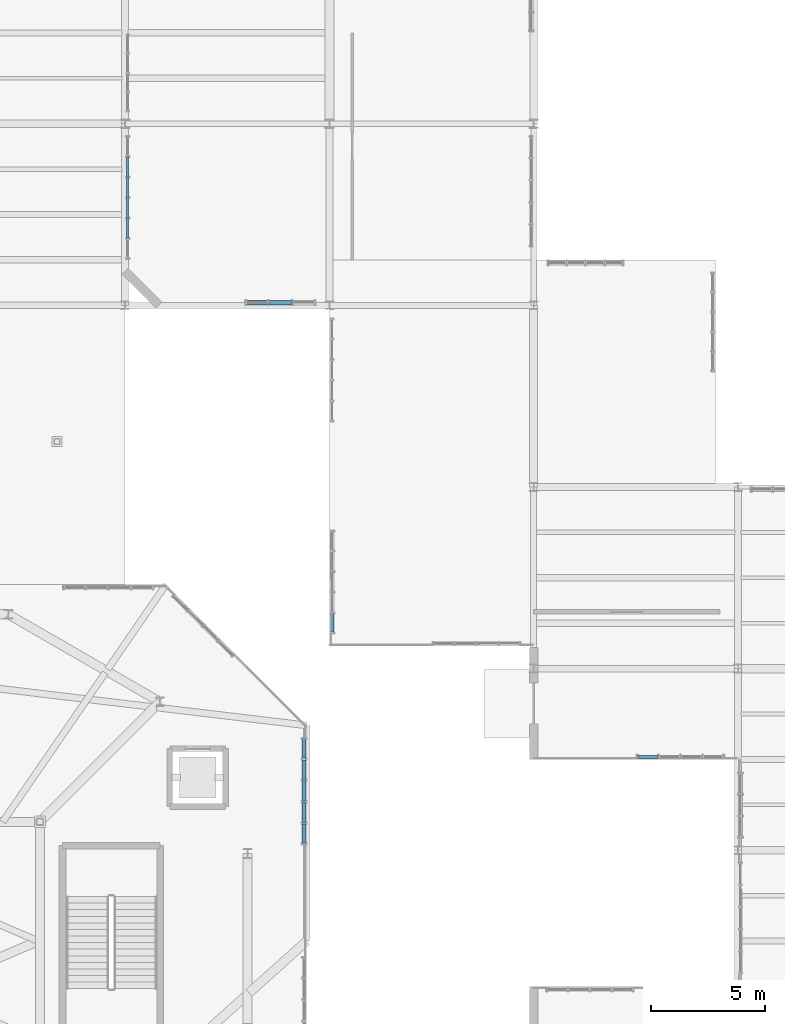
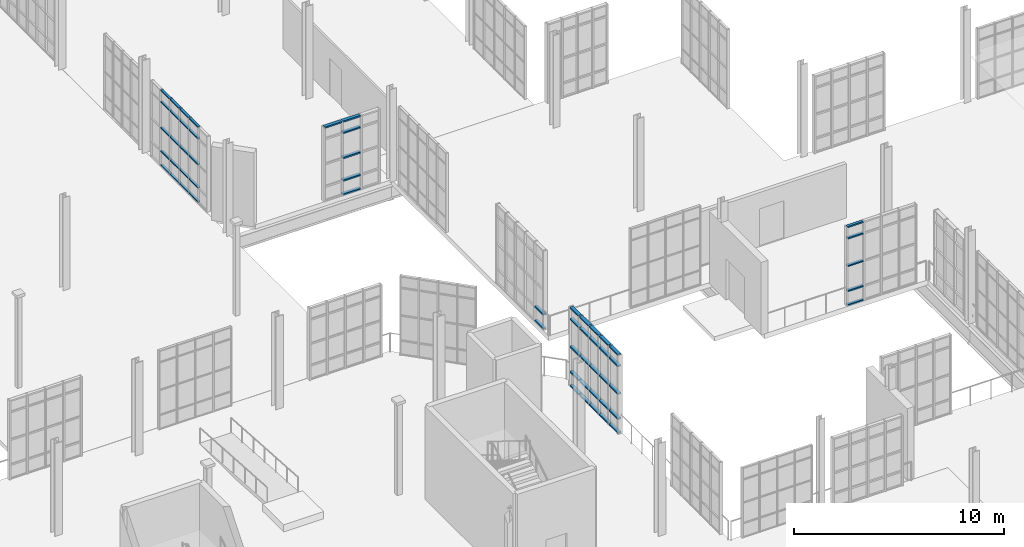
# One storey, part 127 of 189: 58 members, 5 elements without a shape of their own.
"""IFC4 building model written with IfcOpenShell, lengths in metres."""

from ifc_helpers import new_model, si_unit, direction, frame, origin, origin_2d, place, context, subcontext, project, spatial, hollow_rectangle, extrude, material, layer, layer_set, material_profile, profile_set, type_object, element, aggregate, save


model = new_model("IFC4")

# Units and contexts
model_context = context("Model", 3, precision=1e-05, world=origin(), true_north=direction((0.0, 1.0)))
body_context = subcontext(model_context, "Body", "Model", "MODEL_VIEW")
ifc_project = project(units=[si_unit("LENGTHUNIT", "METRE"), si_unit("AREAUNIT", "SQUARE_METRE"), si_unit("VOLUMEUNIT", "CUBIC_METRE"), si_unit("PLANEANGLEUNIT", "RADIAN"), si_unit("MASSUNIT", "GRAM", prefix="KILO"), si_unit("THERMODYNAMICTEMPERATUREUNIT", "KELVIN"), si_unit("POWERUNIT", "WATT")], contexts=[model_context])

# Site, building, storey
site_placement = place(None, origin())
site = spatial("IfcSite", under=ifc_project, at=site_placement, CompositionType="ELEMENT")
building_placement = place(site_placement, origin())
building = spatial("IfcBuilding", under=site, at=building_placement, Name="Zelmaris Science Centre", CompositionType="ELEMENT")
storey_placement = place(building_placement, origin())
storey = spatial("IfcBuildingStorey", under=building, at=storey_placement, Name="L00", CompositionType="ELEMENT", Elevation=0.0)

# Curtain wall, members
ifc_material = material(Name="Anodised architectural aluminium 6063-T6", Category="aluminium")
ifc_layer_1 = layer(ifc_material, 0.2099609375, Name="Anodised architectural aluminium 6063-T6")
ifc_layer_set_1 = layer_set([ifc_layer_1], Name="Anodised architectural aluminium 6063-T6")
curtain_wall_type_1 = type_object("IfcCurtainWallType", Name="Curtain Wall CW-03", PredefinedType="USERDEFINED", material=ifc_layer_set_1)
curtain_wall_1_placement = place(storey_placement, origin())
curtain_wall_1 = element("IfcCurtainWall", 1, at=curtain_wall_1_placement, inside=storey, type_object=curtain_wall_type_1, Name="L00 Unitised curtain wall 79", ObjectType="GLAZED CURTAIN WALL", PredefinedType="USERDEFINED")
ifc_material_profile_1 = material_profile(ifc_material, hollow_rectangle(XDim=0.06494140625, YDim=0.1298828125, WallThickness=0.00341796875, at=origin_2d()), Name="ALU-TRN-65X130")
ifc_profile_set_1 = profile_set([ifc_material_profile_1], Name="Anodised architectural aluminium 6063-T6")
member_type_1 = type_object("IfcMemberType", Name="ALU-TRN-65X130", PredefinedType="USERDEFINED", material=ifc_profile_set_1)
member_1_placement = place(storey_placement, frame((90.1201171875, 66.971923828125, 0.013427734375), z_axis=(0.0, 1.0, 0.0), x_axis=(0.0, 0.0, 1.0)))
member_1 = element("IfcMember", 2, at=member_1_placement, type_object=member_type_1, Name="CW-03 transom 2.1", ObjectType="TRANSOM", PredefinedType="USERDEFINED", context=body_context, shape_type="SweptSolid", body=[
    extrude(hollow_rectangle(XDim=0.06494140625, YDim=0.1298828125, WallThickness=0.00341796875, at=origin_2d()), origin(), (0.0, 0.0, 1.0), 0.84619140625),
])
member_2_placement = place(storey_placement, frame((90.1201171875, 66.971923828125, 0.8349609375), z_axis=(0.0, 1.0, 0.0), x_axis=(0.0, 0.0, 1.0)))
member_2 = element("IfcMember", 3, at=member_2_placement, type_object=member_type_1, Name="CW-03 transom 2.2", ObjectType="TRANSOM", PredefinedType="USERDEFINED", context=body_context, shape_type="SweptSolid", body=[
    extrude(hollow_rectangle(XDim=0.06494140625, YDim=0.1298828125, WallThickness=0.00341796875, at=origin_2d()), origin(), (0.0, 0.0, 1.0), 0.84619140625),
])
member_3_placement = place(storey_placement, frame((90.1201171875, 66.971923828125, 2.193603515625), z_axis=(0.0, 1.0, 0.0), x_axis=(0.0, 0.0, 1.0)))
member_3 = element("IfcMember", 4, at=member_3_placement, type_object=member_type_1, Name="CW-03 transom 2.3", ObjectType="TRANSOM", PredefinedType="USERDEFINED", context=body_context, shape_type="SweptSolid", body=[
    extrude(hollow_rectangle(XDim=0.06494140625, YDim=0.1298828125, WallThickness=0.00341796875, at=origin_2d()), origin(), (0.0, 0.0, 1.0), 0.84619140625),
])
member_4_placement = place(storey_placement, frame((90.1201171875, 66.971923828125, 3.701904296875), z_axis=(0.0, 1.0, 0.0), x_axis=(0.0, 0.0, 1.0)))
member_4 = element("IfcMember", 5, at=member_4_placement, type_object=member_type_1, Name="CW-03 transom 2.4", ObjectType="TRANSOM", PredefinedType="USERDEFINED", context=body_context, shape_type="SweptSolid", body=[
    extrude(hollow_rectangle(XDim=0.06494140625, YDim=0.1298828125, WallThickness=0.00341796875, at=origin_2d()), origin(), (0.0, 0.0, 1.0), 0.84619140625),
])
member_5_placement = place(storey_placement, frame((90.1201171875, 66.971923828125, 4.37353515625), z_axis=(0.0, 1.0, 0.0), x_axis=(0.0, 0.0, 1.0)))
member_5 = element("IfcMember", 6, at=member_5_placement, type_object=member_type_1, Name="CW-03 transom 2.5", ObjectType="TRANSOM", PredefinedType="USERDEFINED", context=body_context, shape_type="SweptSolid", body=[
    extrude(hollow_rectangle(XDim=0.06494140625, YDim=0.1298828125, WallThickness=0.00341796875, at=origin_2d()), origin(), (0.0, 0.0, 1.0), 0.84619140625),
])
member_6_placement = place(storey_placement, frame((90.1201171875, 67.875244140625, 0.013427734375), z_axis=(0.0, 1.0, 0.0), x_axis=(0.0, 0.0, 1.0)))
member_6 = element("IfcMember", 7, at=member_6_placement, type_object=member_type_1, Name="CW-03 transom 3.1", ObjectType="TRANSOM", PredefinedType="USERDEFINED", context=body_context, shape_type="SweptSolid", body=[
    extrude(hollow_rectangle(XDim=0.06494140625, YDim=0.1298828125, WallThickness=0.00341796875, at=origin_2d()), origin(), (0.0, 0.0, 1.0), 0.84619140625),
])
member_7_placement = place(storey_placement, frame((90.1201171875, 67.875244140625, 0.8349609375), z_axis=(0.0, 1.0, 0.0), x_axis=(0.0, 0.0, 1.0)))
member_7 = element("IfcMember", 8, at=member_7_placement, type_object=member_type_1, Name="CW-03 transom 3.2", ObjectType="TRANSOM", PredefinedType="USERDEFINED", context=body_context, shape_type="SweptSolid", body=[
    extrude(hollow_rectangle(XDim=0.06494140625, YDim=0.1298828125, WallThickness=0.00341796875, at=origin_2d()), origin(), (0.0, 0.0, 1.0), 0.84619140625),
])
member_8_placement = place(storey_placement, frame((90.1201171875, 67.875244140625, 2.193603515625), z_axis=(0.0, 1.0, 0.0), x_axis=(0.0, 0.0, 1.0)))
member_8 = element("IfcMember", 9, at=member_8_placement, type_object=member_type_1, Name="CW-03 transom 3.3", ObjectType="TRANSOM", PredefinedType="USERDEFINED", context=body_context, shape_type="SweptSolid", body=[
    extrude(hollow_rectangle(XDim=0.06494140625, YDim=0.1298828125, WallThickness=0.00341796875, at=origin_2d()), origin(), (0.0, 0.0, 1.0), 0.84619140625),
])
member_9_placement = place(storey_placement, frame((90.1201171875, 67.875244140625, 3.701904296875), z_axis=(0.0, 1.0, 0.0), x_axis=(0.0, 0.0, 1.0)))
member_9 = element("IfcMember", 10, at=member_9_placement, type_object=member_type_1, Name="CW-03 transom 3.4", ObjectType="TRANSOM", PredefinedType="USERDEFINED", context=body_context, shape_type="SweptSolid", body=[
    extrude(hollow_rectangle(XDim=0.06494140625, YDim=0.1298828125, WallThickness=0.00341796875, at=origin_2d()), origin(), (0.0, 0.0, 1.0), 0.84619140625),
])
member_10_placement = place(storey_placement, frame((90.1201171875, 67.875244140625, 4.37353515625), z_axis=(0.0, 1.0, 0.0), x_axis=(0.0, 0.0, 1.0)))
member_10 = element("IfcMember", 11, at=member_10_placement, type_object=member_type_1, Name="CW-03 transom 3.5", ObjectType="TRANSOM", PredefinedType="USERDEFINED", context=body_context, shape_type="SweptSolid", body=[
    extrude(hollow_rectangle(XDim=0.06494140625, YDim=0.1298828125, WallThickness=0.00341796875, at=origin_2d()), origin(), (0.0, 0.0, 1.0), 0.84619140625),
])
member_11_placement = place(storey_placement, frame((90.1201171875, 68.778564453125, 0.013427734375), z_axis=(0.0, 1.0, 0.0), x_axis=(0.0, 0.0, 1.0)))
member_11 = element("IfcMember", 12, at=member_11_placement, type_object=member_type_1, Name="CW-03 transom 4.1", ObjectType="TRANSOM", PredefinedType="USERDEFINED", context=body_context, shape_type="SweptSolid", body=[
    extrude(hollow_rectangle(XDim=0.06494140625, YDim=0.1298828125, WallThickness=0.00341796875, at=origin_2d()), origin(), (0.0, 0.0, 1.0), 0.84619140625),
])
member_12_placement = place(storey_placement, frame((90.1201171875, 68.778564453125, 0.8349609375), z_axis=(0.0, 1.0, 0.0), x_axis=(0.0, 0.0, 1.0)))
member_12 = element("IfcMember", 13, at=member_12_placement, type_object=member_type_1, Name="CW-03 transom 4.2", ObjectType="TRANSOM", PredefinedType="USERDEFINED", context=body_context, shape_type="SweptSolid", body=[
    extrude(hollow_rectangle(XDim=0.06494140625, YDim=0.1298828125, WallThickness=0.00341796875, at=origin_2d()), origin(), (0.0, 0.0, 1.0), 0.84619140625),
])
member_13_placement = place(storey_placement, frame((90.1201171875, 68.778564453125, 2.193603515625), z_axis=(0.0, 1.0, 0.0), x_axis=(0.0, 0.0, 1.0)))
member_13 = element("IfcMember", 14, at=member_13_placement, type_object=member_type_1, Name="CW-03 transom 4.3", ObjectType="TRANSOM", PredefinedType="USERDEFINED", context=body_context, shape_type="SweptSolid", body=[
    extrude(hollow_rectangle(XDim=0.06494140625, YDim=0.1298828125, WallThickness=0.00341796875, at=origin_2d()), origin(), (0.0, 0.0, 1.0), 0.84619140625),
])
member_14_placement = place(storey_placement, frame((90.1201171875, 68.778564453125, 3.701904296875), z_axis=(0.0, 1.0, 0.0), x_axis=(0.0, 0.0, 1.0)))
member_14 = element("IfcMember", 15, at=member_14_placement, type_object=member_type_1, Name="CW-03 transom 4.4", ObjectType="TRANSOM", PredefinedType="USERDEFINED", context=body_context, shape_type="SweptSolid", body=[
    extrude(hollow_rectangle(XDim=0.06494140625, YDim=0.1298828125, WallThickness=0.00341796875, at=origin_2d()), origin(), (0.0, 0.0, 1.0), 0.84619140625),
])
member_15_placement = place(storey_placement, frame((90.1201171875, 68.778564453125, 4.37353515625), z_axis=(0.0, 1.0, 0.0), x_axis=(0.0, 0.0, 1.0)))
member_15 = element("IfcMember", 16, at=member_15_placement, type_object=member_type_1, Name="CW-03 transom 4.5", ObjectType="TRANSOM", PredefinedType="USERDEFINED", context=body_context, shape_type="SweptSolid", body=[
    extrude(hollow_rectangle(XDim=0.06494140625, YDim=0.1298828125, WallThickness=0.00341796875, at=origin_2d()), origin(), (0.0, 0.0, 1.0), 0.84619140625),
])
member_16_placement = place(storey_placement, frame((90.1201171875, 69.681884765625, 0.013427734375), z_axis=(0.0, 1.0, 0.0), x_axis=(0.0, 0.0, 1.0)))
member_16 = element("IfcMember", 17, at=member_16_placement, type_object=member_type_1, Name="CW-03 transom 5.1", ObjectType="TRANSOM", PredefinedType="USERDEFINED", context=body_context, shape_type="SweptSolid", body=[
    extrude(hollow_rectangle(XDim=0.06494140625, YDim=0.1298828125, WallThickness=0.00341796875, at=origin_2d()), origin(), (0.0, 0.0, 1.0), 0.84619140625),
])
member_17_placement = place(storey_placement, frame((90.1201171875, 69.681884765625, 0.8349609375), z_axis=(0.0, 1.0, 0.0), x_axis=(0.0, 0.0, 1.0)))
member_17 = element("IfcMember", 18, at=member_17_placement, type_object=member_type_1, Name="CW-03 transom 5.2", ObjectType="TRANSOM", PredefinedType="USERDEFINED", context=body_context, shape_type="SweptSolid", body=[
    extrude(hollow_rectangle(XDim=0.06494140625, YDim=0.1298828125, WallThickness=0.00341796875, at=origin_2d()), origin(), (0.0, 0.0, 1.0), 0.84619140625),
])
member_18_placement = place(storey_placement, frame((90.1201171875, 69.681884765625, 2.193603515625), z_axis=(0.0, 1.0, 0.0), x_axis=(0.0, 0.0, 1.0)))
member_18 = element("IfcMember", 19, at=member_18_placement, type_object=member_type_1, Name="CW-03 transom 5.3", ObjectType="TRANSOM", PredefinedType="USERDEFINED", context=body_context, shape_type="SweptSolid", body=[
    extrude(hollow_rectangle(XDim=0.06494140625, YDim=0.1298828125, WallThickness=0.00341796875, at=origin_2d()), origin(), (0.0, 0.0, 1.0), 0.84619140625),
])
member_19_placement = place(storey_placement, frame((90.1201171875, 69.681884765625, 3.701904296875), z_axis=(0.0, 1.0, 0.0), x_axis=(0.0, 0.0, 1.0)))
member_19 = element("IfcMember", 20, at=member_19_placement, type_object=member_type_1, Name="CW-03 transom 5.4", ObjectType="TRANSOM", PredefinedType="USERDEFINED", context=body_context, shape_type="SweptSolid", body=[
    extrude(hollow_rectangle(XDim=0.06494140625, YDim=0.1298828125, WallThickness=0.00341796875, at=origin_2d()), origin(), (0.0, 0.0, 1.0), 0.84619140625),
])
member_20_placement = place(storey_placement, frame((90.1201171875, 69.681884765625, 4.37353515625), z_axis=(0.0, 1.0, 0.0), x_axis=(0.0, 0.0, 1.0)))
member_20 = element("IfcMember", 21, at=member_20_placement, type_object=member_type_1, Name="CW-03 transom 5.5", ObjectType="TRANSOM", PredefinedType="USERDEFINED", context=body_context, shape_type="SweptSolid", body=[
    extrude(hollow_rectangle(XDim=0.06494140625, YDim=0.1298828125, WallThickness=0.00341796875, at=origin_2d()), origin(), (0.0, 0.0, 1.0), 0.84619140625),
])
aggregate(curtain_wall_1, [member_1, member_2, member_3, member_4, member_5, member_6, member_7, member_8, member_9, member_10, member_11, member_12, member_13, member_14, member_15, member_16, member_17, member_18, member_19, member_20])

ifc_layer_2 = layer(ifc_material, 0.199951171875, Name="Anodised architectural aluminium 6063-T6")
ifc_layer_set_2 = layer_set([ifc_layer_2], Name="Anodised architectural aluminium 6063-T6")
curtain_wall_type_2 = type_object("IfcCurtainWallType", Name="Curtain Wall CW-02", PredefinedType="USERDEFINED", material=ifc_layer_set_2)
curtain_wall_2_placement = place(storey_placement, origin())
curtain_wall_2 = element("IfcCurtainWall", 22, at=curtain_wall_2_placement, inside=storey, type_object=curtain_wall_type_2, Name="L00 Unitised curtain wall 70", ObjectType="GLAZED CURTAIN WALL", PredefinedType="USERDEFINED")
ifc_material_profile_2 = material_profile(ifc_material, hollow_rectangle(XDim=0.074951171875, YDim=0.159912109375, WallThickness=0.00390625, at=origin_2d()), Name="ALU-TRN-75X160")
ifc_profile_set_2 = profile_set([ifc_material_profile_2], Name="Anodised architectural aluminium 6063-T6")
member_type_2 = type_object("IfcMemberType", Name="ALU-TRN-75X160", PredefinedType="USERDEFINED", material=ifc_profile_set_2)
member_21_placement = place(storey_placement, frame((113.464111328125, 44.1201171875, 0.0185546875), z_axis=(-1.0, 0.0, 0.0), x_axis=(0.0, 0.0, 1.0)))
member_21 = element("IfcMember", 23, at=member_21_placement, type_object=member_type_2, Name="CW-02 transom 4.1", ObjectType="TRANSOM", PredefinedType="USERDEFINED", context=body_context, shape_type="SweptSolid", body=[
    extrude(hollow_rectangle(XDim=0.074951171875, YDim=0.159912109375, WallThickness=0.00390625, at=origin_2d()), origin(), (0.0, 0.0, 1.0), 0.8671875),
])
member_22_placement = place(storey_placement, frame((113.464111328125, 44.1201171875, 0.8349609375), z_axis=(-1.0, 0.0, 0.0), x_axis=(0.0, 0.0, 1.0)))
member_22 = element("IfcMember", 24, at=member_22_placement, type_object=member_type_2, Name="CW-02 transom 4.2", ObjectType="TRANSOM", PredefinedType="USERDEFINED", context=body_context, shape_type="SweptSolid", body=[
    extrude(hollow_rectangle(XDim=0.074951171875, YDim=0.159912109375, WallThickness=0.00390625, at=origin_2d()), origin(), (0.0, 0.0, 1.0), 0.8671875),
])
member_23_placement = place(storey_placement, frame((113.464111328125, 44.1201171875, 2.29248046875), z_axis=(-1.0, 0.0, 0.0), x_axis=(0.0, 0.0, 1.0)))
member_23 = element("IfcMember", 25, at=member_23_placement, type_object=member_type_2, Name="CW-02 transom 4.3", ObjectType="TRANSOM", PredefinedType="USERDEFINED", context=body_context, shape_type="SweptSolid", body=[
    extrude(hollow_rectangle(XDim=0.074951171875, YDim=0.159912109375, WallThickness=0.00390625, at=origin_2d()), origin(), (0.0, 0.0, 1.0), 0.8671875),
])
member_24_placement = place(storey_placement, frame((113.464111328125, 44.1201171875, 3.89990234375), z_axis=(-1.0, 0.0, 0.0), x_axis=(0.0, 0.0, 1.0)))
member_24 = element("IfcMember", 26, at=member_24_placement, type_object=member_type_2, Name="CW-02 transom 4.4", ObjectType="TRANSOM", PredefinedType="USERDEFINED", context=body_context, shape_type="SweptSolid", body=[
    extrude(hollow_rectangle(XDim=0.074951171875, YDim=0.159912109375, WallThickness=0.00390625, at=origin_2d()), origin(), (0.0, 0.0, 1.0), 0.8671875),
])
member_25_placement = place(storey_placement, frame((113.464111328125, 44.1201171875, 4.56640625), z_axis=(-1.0, 0.0, 0.0), x_axis=(0.0, 0.0, 1.0)))
member_25 = element("IfcMember", 27, at=member_25_placement, type_object=member_type_2, Name="CW-02 transom 4.5", ObjectType="TRANSOM", PredefinedType="USERDEFINED", context=body_context, shape_type="SweptSolid", body=[
    extrude(hollow_rectangle(XDim=0.074951171875, YDim=0.159912109375, WallThickness=0.00390625, at=origin_2d()), origin(), (0.0, 0.0, 1.0), 0.8671875),
])
aggregate(curtain_wall_2, [member_21, member_22, member_23, member_24, member_25])

curtain_wall_3_placement = place(storey_placement, origin())
curtain_wall_3 = element("IfcCurtainWall", 28, at=curtain_wall_3_placement, inside=storey, type_object=curtain_wall_type_2, Name="L00 Unitised curtain wall 74", ObjectType="GLAZED CURTAIN WALL", PredefinedType="USERDEFINED")
member_26_placement = place(storey_placement, frame((99.119873046875, 49.607177734375, 0.0185546875), z_axis=(-0.000603318141, 0.999999818004, 0.0), x_axis=(0.0, 0.0, 1.0)))
member_26 = element("IfcMember", 29, at=member_26_placement, type_object=member_type_2, Name="CW-02 transom 1.1", ObjectType="TRANSOM", PredefinedType="USERDEFINED", context=body_context, shape_type="SweptSolid", body=[
    extrude(hollow_rectangle(XDim=0.074951171875, YDim=0.159912109375, WallThickness=0.00390625, at=origin_2d()), origin(), (0.0, 0.0, 1.0), 0.809326171875),
])
member_27_placement = place(storey_placement, frame((99.119873046875, 49.607177734375, 0.8349609375), z_axis=(-0.000603318141, 0.999999818004, 0.0), x_axis=(0.0, 0.0, 1.0)))
member_27 = element("IfcMember", 30, at=member_27_placement, type_object=member_type_2, Name="CW-02 transom 1.2", ObjectType="TRANSOM", PredefinedType="USERDEFINED", context=body_context, shape_type="SweptSolid", body=[
    extrude(hollow_rectangle(XDim=0.074951171875, YDim=0.159912109375, WallThickness=0.00390625, at=origin_2d()), origin(), (0.0, 0.0, 1.0), 0.809326171875),
])
aggregate(curtain_wall_3, [member_26, member_27])

ifc_layer_3 = layer(ifc_material, 0.18994140625, Name="Anodised architectural aluminium 6063-T6")
ifc_layer_set_3 = layer_set([ifc_layer_3], Name="Anodised architectural aluminium 6063-T6")
curtain_wall_type_3 = type_object("IfcCurtainWallType", Name="Curtain Wall CW-01", PredefinedType="USERDEFINED", material=ifc_layer_set_3)
curtain_wall_4_placement = place(storey_placement, origin())
curtain_wall_4 = element("IfcCurtainWall", 31, at=curtain_wall_4_placement, inside=storey, type_object=curtain_wall_type_3, Name="L00 Unitised curtain wall 61", ObjectType="GLAZED CURTAIN WALL", PredefinedType="USERDEFINED")
ifc_material_profile_3 = material_profile(ifc_material, hollow_rectangle(XDim=0.080078125, YDim=0.18994140625, WallThickness=0.00439453125, at=origin_2d()), Name="ALU-TRN-80X190")
ifc_profile_set_3 = profile_set([ifc_material_profile_3], Name="Anodised architectural aluminium 6063-T6")
member_type_3 = type_object("IfcMemberType", Name="ALU-TRN-80X190", PredefinedType="USERDEFINED", material=ifc_profile_set_3)
member_28_placement = place(storey_placement, frame((97.8798828125, 44.887939453125, 0.02099609375), z_axis=(0.0, -1.0, 0.0), x_axis=(0.0, 0.0, 1.0)))
member_28 = element("IfcMember", 32, at=member_28_placement, type_object=member_type_3, Name="CW-01 transom 1.1", ObjectType="TRANSOM", PredefinedType="USERDEFINED", context=body_context, shape_type="SweptSolid", body=[
    extrude(hollow_rectangle(XDim=0.080078125, YDim=0.18994140625, WallThickness=0.00439453125, at=origin_2d()), origin(), (0.0, 0.0, 1.0), 0.833251953125),
])
member_29_placement = place(storey_placement, frame((97.8798828125, 44.887939453125, 0.8349609375), z_axis=(0.0, -1.0, 0.0), x_axis=(0.0, 0.0, 1.0)))
member_29 = element("IfcMember", 33, at=member_29_placement, type_object=member_type_3, Name="CW-01 transom 1.2", ObjectType="TRANSOM", PredefinedType="USERDEFINED", context=body_context, shape_type="SweptSolid", body=[
    extrude(hollow_rectangle(XDim=0.080078125, YDim=0.18994140625, WallThickness=0.00439453125, at=origin_2d()), origin(), (0.0, 0.0, 1.0), 0.833251953125),
])
member_30_placement = place(storey_placement, frame((97.8798828125, 44.887939453125, 2.29248046875), z_axis=(0.0, -1.0, 0.0), x_axis=(0.0, 0.0, 1.0)))
member_30 = element("IfcMember", 34, at=member_30_placement, type_object=member_type_3, Name="CW-01 transom 1.3", ObjectType="TRANSOM", PredefinedType="USERDEFINED", context=body_context, shape_type="SweptSolid", body=[
    extrude(hollow_rectangle(XDim=0.080078125, YDim=0.18994140625, WallThickness=0.00439453125, at=origin_2d()), origin(), (0.0, 0.0, 1.0), 0.833251953125),
])
member_31_placement = place(storey_placement, frame((97.8798828125, 44.887939453125, 3.89990234375), z_axis=(0.0, -1.0, 0.0), x_axis=(0.0, 0.0, 1.0)))
member_31 = element("IfcMember", 35, at=member_31_placement, type_object=member_type_3, Name="CW-01 transom 1.4", ObjectType="TRANSOM", PredefinedType="USERDEFINED", context=body_context, shape_type="SweptSolid", body=[
    extrude(hollow_rectangle(XDim=0.080078125, YDim=0.18994140625, WallThickness=0.00439453125, at=origin_2d()), origin(), (0.0, 0.0, 1.0), 0.833251953125),
])
member_32_placement = place(storey_placement, frame((97.8798828125, 44.887939453125, 4.56396484375), z_axis=(0.0, -1.0, 0.0), x_axis=(0.0, 0.0, 1.0)))
member_32 = element("IfcMember", 36, at=member_32_placement, type_object=member_type_3, Name="CW-01 transom 1.5", ObjectType="TRANSOM", PredefinedType="USERDEFINED", context=body_context, shape_type="SweptSolid", body=[
    extrude(hollow_rectangle(XDim=0.080078125, YDim=0.18994140625, WallThickness=0.00439453125, at=origin_2d()), origin(), (0.0, 0.0, 1.0), 0.833251953125),
])
member_33_placement = place(storey_placement, frame((97.8798828125, 43.982666015625, 0.02099609375), z_axis=(0.0, -1.0, 0.0), x_axis=(0.0, 0.0, 1.0)))
member_33 = element("IfcMember", 37, at=member_33_placement, type_object=member_type_3, Name="CW-01 transom 2.1", ObjectType="TRANSOM", PredefinedType="USERDEFINED", context=body_context, shape_type="SweptSolid", body=[
    extrude(hollow_rectangle(XDim=0.080078125, YDim=0.18994140625, WallThickness=0.00439453125, at=origin_2d()), origin(), (0.0, 0.0, 1.0), 0.869384765625),
])
member_34_placement = place(storey_placement, frame((97.8798828125, 43.982666015625, 0.8349609375), z_axis=(0.0, -1.0, 0.0), x_axis=(0.0, 0.0, 1.0)))
member_34 = element("IfcMember", 38, at=member_34_placement, type_object=member_type_3, Name="CW-01 transom 2.2", ObjectType="TRANSOM", PredefinedType="USERDEFINED", context=body_context, shape_type="SweptSolid", body=[
    extrude(hollow_rectangle(XDim=0.080078125, YDim=0.18994140625, WallThickness=0.00439453125, at=origin_2d()), origin(), (0.0, 0.0, 1.0), 0.869384765625),
])
member_35_placement = place(storey_placement, frame((97.8798828125, 43.982666015625, 2.29248046875), z_axis=(0.0, -1.0, 0.0), x_axis=(0.0, 0.0, 1.0)))
member_35 = element("IfcMember", 39, at=member_35_placement, type_object=member_type_3, Name="CW-01 transom 2.3", ObjectType="TRANSOM", PredefinedType="USERDEFINED", context=body_context, shape_type="SweptSolid", body=[
    extrude(hollow_rectangle(XDim=0.080078125, YDim=0.18994140625, WallThickness=0.00439453125, at=origin_2d()), origin(), (0.0, 0.0, 1.0), 0.869384765625),
])
member_36_placement = place(storey_placement, frame((97.8798828125, 43.982666015625, 3.89990234375), z_axis=(0.0, -1.0, 0.0), x_axis=(0.0, 0.0, 1.0)))
member_36 = element("IfcMember", 40, at=member_36_placement, type_object=member_type_3, Name="CW-01 transom 2.4", ObjectType="TRANSOM", PredefinedType="USERDEFINED", context=body_context, shape_type="SweptSolid", body=[
    extrude(hollow_rectangle(XDim=0.080078125, YDim=0.18994140625, WallThickness=0.00439453125, at=origin_2d()), origin(), (0.0, 0.0, 1.0), 0.869384765625),
])
member_37_placement = place(storey_placement, frame((97.8798828125, 43.982666015625, 4.56396484375), z_axis=(0.0, -1.0, 0.0), x_axis=(0.0, 0.0, 1.0)))
member_37 = element("IfcMember", 41, at=member_37_placement, type_object=member_type_3, Name="CW-01 transom 2.5", ObjectType="TRANSOM", PredefinedType="USERDEFINED", context=body_context, shape_type="SweptSolid", body=[
    extrude(hollow_rectangle(XDim=0.080078125, YDim=0.18994140625, WallThickness=0.00439453125, at=origin_2d()), origin(), (0.0, 0.0, 1.0), 0.869384765625),
])
member_38_placement = place(storey_placement, frame((97.8798828125, 43.041259765625, 0.02099609375), z_axis=(0.0, -1.0, 0.0), x_axis=(0.0, 0.0, 1.0)))
member_38 = element("IfcMember", 42, at=member_38_placement, type_object=member_type_3, Name="CW-01 transom 3.1", ObjectType="TRANSOM", PredefinedType="USERDEFINED", context=body_context, shape_type="SweptSolid", body=[
    extrude(hollow_rectangle(XDim=0.080078125, YDim=0.18994140625, WallThickness=0.00439453125, at=origin_2d()), origin(), (0.0, 0.0, 1.0), 0.869384765625),
])
member_39_placement = place(storey_placement, frame((97.8798828125, 43.041259765625, 0.8349609375), z_axis=(0.0, -1.0, 0.0), x_axis=(0.0, 0.0, 1.0)))
member_39 = element("IfcMember", 43, at=member_39_placement, type_object=member_type_3, Name="CW-01 transom 3.2", ObjectType="TRANSOM", PredefinedType="USERDEFINED", context=body_context, shape_type="SweptSolid", body=[
    extrude(hollow_rectangle(XDim=0.080078125, YDim=0.18994140625, WallThickness=0.00439453125, at=origin_2d()), origin(), (0.0, 0.0, 1.0), 0.869384765625),
])
member_40_placement = place(storey_placement, frame((97.8798828125, 43.041259765625, 2.29248046875), z_axis=(0.0, -1.0, 0.0), x_axis=(0.0, 0.0, 1.0)))
member_40 = element("IfcMember", 44, at=member_40_placement, type_object=member_type_3, Name="CW-01 transom 3.3", ObjectType="TRANSOM", PredefinedType="USERDEFINED", context=body_context, shape_type="SweptSolid", body=[
    extrude(hollow_rectangle(XDim=0.080078125, YDim=0.18994140625, WallThickness=0.00439453125, at=origin_2d()), origin(), (0.0, 0.0, 1.0), 0.869384765625),
])
member_41_placement = place(storey_placement, frame((97.8798828125, 43.041259765625, 3.89990234375), z_axis=(0.0, -1.0, 0.0), x_axis=(0.0, 0.0, 1.0)))
member_41 = element("IfcMember", 45, at=member_41_placement, type_object=member_type_3, Name="CW-01 transom 3.4", ObjectType="TRANSOM", PredefinedType="USERDEFINED", context=body_context, shape_type="SweptSolid", body=[
    extrude(hollow_rectangle(XDim=0.080078125, YDim=0.18994140625, WallThickness=0.00439453125, at=origin_2d()), origin(), (0.0, 0.0, 1.0), 0.869384765625),
])
member_42_placement = place(storey_placement, frame((97.8798828125, 43.041259765625, 4.56396484375), z_axis=(0.0, -1.0, 0.0), x_axis=(0.0, 0.0, 1.0)))
member_42 = element("IfcMember", 46, at=member_42_placement, type_object=member_type_3, Name="CW-01 transom 3.5", ObjectType="TRANSOM", PredefinedType="USERDEFINED", context=body_context, shape_type="SweptSolid", body=[
    extrude(hollow_rectangle(XDim=0.080078125, YDim=0.18994140625, WallThickness=0.00439453125, at=origin_2d()), origin(), (0.0, 0.0, 1.0), 0.869384765625),
])
member_43_placement = place(storey_placement, frame((97.8798828125, 42.10009765625, 0.02099609375), z_axis=(0.0, -1.0, 0.0), x_axis=(0.0, 0.0, 1.0)))
member_43 = element("IfcMember", 47, at=member_43_placement, type_object=member_type_3, Name="CW-01 transom 4.1", ObjectType="TRANSOM", PredefinedType="USERDEFINED", context=body_context, shape_type="SweptSolid", body=[
    extrude(hollow_rectangle(XDim=0.080078125, YDim=0.18994140625, WallThickness=0.00439453125, at=origin_2d()), origin(), (0.0, 0.0, 1.0), 0.869384765625),
])
member_44_placement = place(storey_placement, frame((97.8798828125, 42.10009765625, 0.8349609375), z_axis=(0.0, -1.0, 0.0), x_axis=(0.0, 0.0, 1.0)))
member_44 = element("IfcMember", 48, at=member_44_placement, type_object=member_type_3, Name="CW-01 transom 4.2", ObjectType="TRANSOM", PredefinedType="USERDEFINED", context=body_context, shape_type="SweptSolid", body=[
    extrude(hollow_rectangle(XDim=0.080078125, YDim=0.18994140625, WallThickness=0.00439453125, at=origin_2d()), origin(), (0.0, 0.0, 1.0), 0.869384765625),
])
member_45_placement = place(storey_placement, frame((97.8798828125, 42.10009765625, 2.29248046875), z_axis=(0.0, -1.0, 0.0), x_axis=(0.0, 0.0, 1.0)))
member_45 = element("IfcMember", 49, at=member_45_placement, type_object=member_type_3, Name="CW-01 transom 4.3", ObjectType="TRANSOM", PredefinedType="USERDEFINED", context=body_context, shape_type="SweptSolid", body=[
    extrude(hollow_rectangle(XDim=0.080078125, YDim=0.18994140625, WallThickness=0.00439453125, at=origin_2d()), origin(), (0.0, 0.0, 1.0), 0.869384765625),
])
member_46_placement = place(storey_placement, frame((97.8798828125, 42.10009765625, 3.89990234375), z_axis=(0.0, -1.0, 0.0), x_axis=(0.0, 0.0, 1.0)))
member_46 = element("IfcMember", 50, at=member_46_placement, type_object=member_type_3, Name="CW-01 transom 4.4", ObjectType="TRANSOM", PredefinedType="USERDEFINED", context=body_context, shape_type="SweptSolid", body=[
    extrude(hollow_rectangle(XDim=0.080078125, YDim=0.18994140625, WallThickness=0.00439453125, at=origin_2d()), origin(), (0.0, 0.0, 1.0), 0.869384765625),
])
member_47_placement = place(storey_placement, frame((97.8798828125, 42.10009765625, 4.56396484375), z_axis=(0.0, -1.0, 0.0), x_axis=(0.0, 0.0, 1.0)))
member_47 = element("IfcMember", 51, at=member_47_placement, type_object=member_type_3, Name="CW-01 transom 4.5", ObjectType="TRANSOM", PredefinedType="USERDEFINED", context=body_context, shape_type="SweptSolid", body=[
    extrude(hollow_rectangle(XDim=0.080078125, YDim=0.18994140625, WallThickness=0.00439453125, at=origin_2d()), origin(), (0.0, 0.0, 1.0), 0.869384765625),
])
member_48_placement = place(storey_placement, frame((97.8798828125, 41.15869140625, 0.02099609375), z_axis=(0.0, -1.0, 0.0), x_axis=(0.0, 0.0, 1.0)))
member_48 = element("IfcMember", 52, at=member_48_placement, type_object=member_type_3, Name="CW-01 transom 5.1", ObjectType="TRANSOM", PredefinedType="USERDEFINED", context=body_context, shape_type="SweptSolid", body=[
    extrude(hollow_rectangle(XDim=0.080078125, YDim=0.18994140625, WallThickness=0.00439453125, at=origin_2d()), origin(), (0.0, 0.0, 1.0), 0.83349609375),
])
member_49_placement = place(storey_placement, frame((97.8798828125, 41.15869140625, 0.8349609375), z_axis=(0.0, -1.0, 0.0), x_axis=(0.0, 0.0, 1.0)))
member_49 = element("IfcMember", 53, at=member_49_placement, type_object=member_type_3, Name="CW-01 transom 5.2", ObjectType="TRANSOM", PredefinedType="USERDEFINED", context=body_context, shape_type="SweptSolid", body=[
    extrude(hollow_rectangle(XDim=0.080078125, YDim=0.18994140625, WallThickness=0.00439453125, at=origin_2d()), origin(), (0.0, 0.0, 1.0), 0.83349609375),
])
member_50_placement = place(storey_placement, frame((97.8798828125, 41.15869140625, 2.29248046875), z_axis=(0.0, -1.0, 0.0), x_axis=(0.0, 0.0, 1.0)))
member_50 = element("IfcMember", 54, at=member_50_placement, type_object=member_type_3, Name="CW-01 transom 5.3", ObjectType="TRANSOM", PredefinedType="USERDEFINED", context=body_context, shape_type="SweptSolid", body=[
    extrude(hollow_rectangle(XDim=0.080078125, YDim=0.18994140625, WallThickness=0.00439453125, at=origin_2d()), origin(), (0.0, 0.0, 1.0), 0.83349609375),
])
member_51_placement = place(storey_placement, frame((97.8798828125, 41.15869140625, 3.89990234375), z_axis=(0.0, -1.0, 0.0), x_axis=(0.0, 0.0, 1.0)))
member_51 = element("IfcMember", 55, at=member_51_placement, type_object=member_type_3, Name="CW-01 transom 5.4", ObjectType="TRANSOM", PredefinedType="USERDEFINED", context=body_context, shape_type="SweptSolid", body=[
    extrude(hollow_rectangle(XDim=0.080078125, YDim=0.18994140625, WallThickness=0.00439453125, at=origin_2d()), origin(), (0.0, 0.0, 1.0), 0.83349609375),
])
member_52_placement = place(storey_placement, frame((97.8798828125, 41.15869140625, 4.56396484375), z_axis=(0.0, -1.0, 0.0), x_axis=(0.0, 0.0, 1.0)))
member_52 = element("IfcMember", 56, at=member_52_placement, type_object=member_type_3, Name="CW-01 transom 5.5", ObjectType="TRANSOM", PredefinedType="USERDEFINED", context=body_context, shape_type="SweptSolid", body=[
    extrude(hollow_rectangle(XDim=0.080078125, YDim=0.18994140625, WallThickness=0.00439453125, at=origin_2d()), origin(), (0.0, 0.0, 1.0), 0.83349609375),
])
aggregate(curtain_wall_4, [member_28, member_29, member_30, member_31, member_32, member_33, member_34, member_35, member_36, member_37, member_38, member_39, member_40, member_41, member_42, member_43, member_44, member_45, member_46, member_47, member_48, member_49, member_50, member_51, member_52])

curtain_wall_5_placement = place(storey_placement, origin())
curtain_wall_5 = element("IfcCurtainWall", 57, at=curtain_wall_5_placement, inside=storey, type_object=curtain_wall_type_3, Name="L00 Unitised curtain wall 77", ObjectType="GLAZED CURTAIN WALL", PredefinedType="USERDEFINED")
member_53_placement = place(storey_placement, frame((97.323974609375, 64.1201171875, 0.02099609375), z_axis=(-1.0, 0.0, 0.0), x_axis=(0.0, 0.0, 1.0)))
member_53 = element("IfcMember", 58, at=member_53_placement, type_object=member_type_3, Name="CW-01 transom 2.1", ObjectType="TRANSOM", PredefinedType="USERDEFINED", context=body_context, shape_type="SweptSolid", body=[
    extrude(hollow_rectangle(XDim=0.080078125, YDim=0.18994140625, WallThickness=0.00439453125, at=origin_2d()), origin(), (0.0, 0.0, 1.0), 0.968017578125),
])
member_54_placement = place(storey_placement, frame((97.323974609375, 64.1201171875, 0.8349609375), z_axis=(-1.0, 0.0, 0.0), x_axis=(0.0, 0.0, 1.0)))
member_54 = element("IfcMember", 59, at=member_54_placement, type_object=member_type_3, Name="CW-01 transom 2.2", ObjectType="TRANSOM", PredefinedType="USERDEFINED", context=body_context, shape_type="SweptSolid", body=[
    extrude(hollow_rectangle(XDim=0.080078125, YDim=0.18994140625, WallThickness=0.00439453125, at=origin_2d()), origin(), (0.0, 0.0, 1.0), 0.968017578125),
])
member_55_placement = place(storey_placement, frame((97.323974609375, 64.1201171875, 2.146484375), z_axis=(-1.0, 0.0, 0.0), x_axis=(0.0, 0.0, 1.0)))
member_55 = element("IfcMember", 60, at=member_55_placement, type_object=member_type_3, Name="CW-01 transom 2.3", ObjectType="TRANSOM", PredefinedType="USERDEFINED", context=body_context, shape_type="SweptSolid", body=[
    extrude(hollow_rectangle(XDim=0.080078125, YDim=0.18994140625, WallThickness=0.00439453125, at=origin_2d()), origin(), (0.0, 0.0, 1.0), 0.968017578125),
])
member_56_placement = place(storey_placement, frame((97.323974609375, 64.1201171875, 3.60791015625), z_axis=(-1.0, 0.0, 0.0), x_axis=(0.0, 0.0, 1.0)))
member_56 = element("IfcMember", 61, at=member_56_placement, type_object=member_type_3, Name="CW-01 transom 2.4", ObjectType="TRANSOM", PredefinedType="USERDEFINED", context=body_context, shape_type="SweptSolid", body=[
    extrude(hollow_rectangle(XDim=0.080078125, YDim=0.18994140625, WallThickness=0.00439453125, at=origin_2d()), origin(), (0.0, 0.0, 1.0), 0.968017578125),
])
member_57_placement = place(storey_placement, frame((97.323974609375, 64.1201171875, 4.27197265625), z_axis=(-1.0, 0.0, 0.0), x_axis=(0.0, 0.0, 1.0)))
member_57 = element("IfcMember", 62, at=member_57_placement, type_object=member_type_3, Name="CW-01 transom 2.5", ObjectType="TRANSOM", PredefinedType="USERDEFINED", context=body_context, shape_type="SweptSolid", body=[
    extrude(hollow_rectangle(XDim=0.080078125, YDim=0.18994140625, WallThickness=0.00439453125, at=origin_2d()), origin(), (0.0, 0.0, 1.0), 0.968017578125),
])
member_58_placement = place(storey_placement, frame((96.283935546875, 64.1201171875, 4.27197265625), z_axis=(-1.0, 0.0, 0.0), x_axis=(0.0, 0.0, 1.0)))
member_58 = element("IfcMember", 63, at=member_58_placement, type_object=member_type_3, Name="CW-01 transom 3.5", ObjectType="TRANSOM", PredefinedType="USERDEFINED", context=body_context, shape_type="SweptSolid", body=[
    extrude(hollow_rectangle(XDim=0.080078125, YDim=0.18994140625, WallThickness=0.00439453125, at=origin_2d()), origin(), (0.0, 0.0, 1.0), 0.931884765625),
])
aggregate(curtain_wall_5, [member_53, member_54, member_55, member_56, member_57, member_58])

save(model, "model.ifc")
